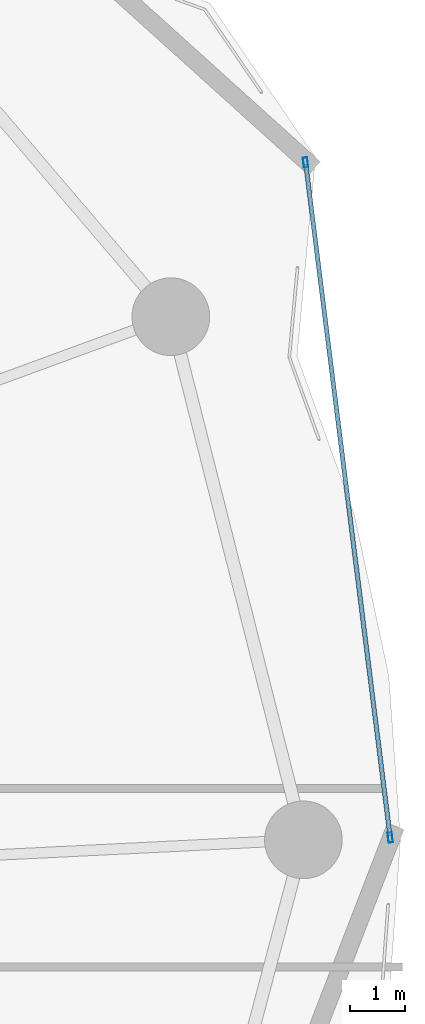
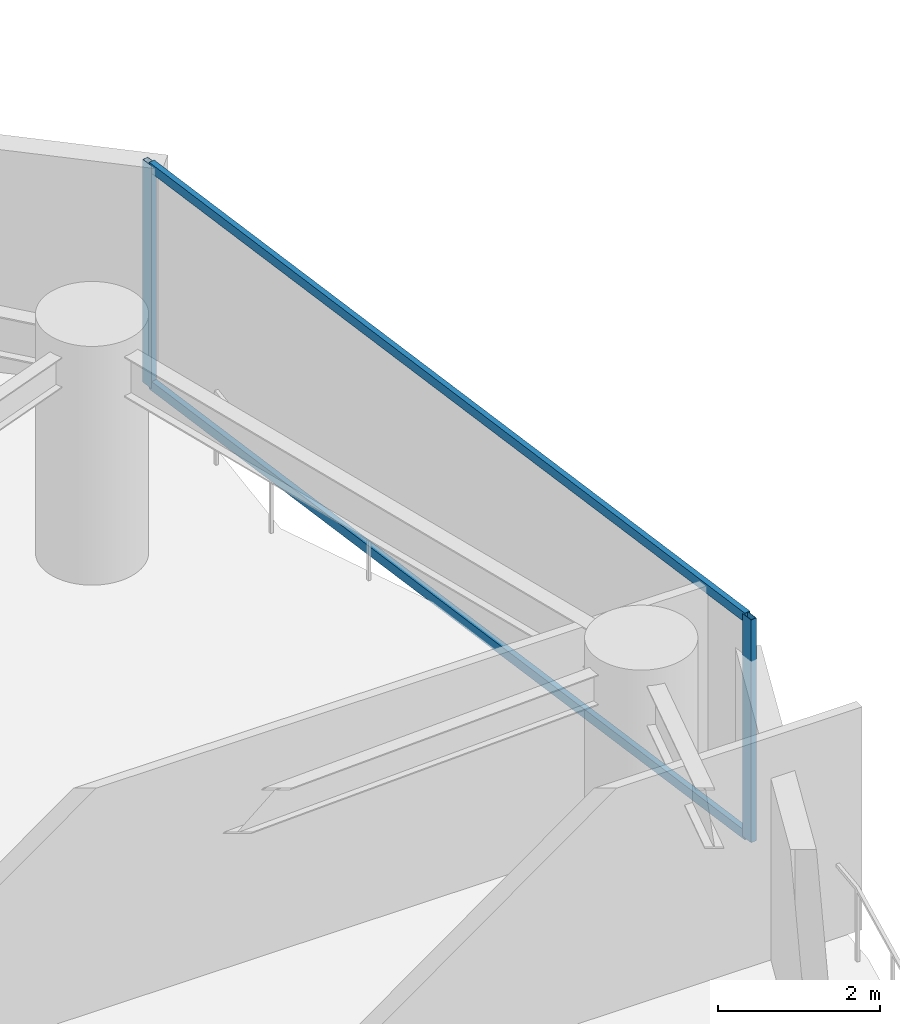
# One storey, part 23 of 30: 4 members, 1 element without a shape of its own.
"""IFC4 building model written with IfcOpenShell, lengths in metres."""

from ifc_helpers import new_model, si_unit, direction, frame, origin, origin_2d, place, context, subcontext, project, spatial, hollow_rectangle, extrude, material, layer, layer_set, material_profile, profile_set, type_object, element, aggregate, save


model = new_model("IFC4")

# Units and contexts
model_context = context("Model", 3, precision=1e-05, world=origin(), true_north=direction((0.0, 1.0)))
body_context = subcontext(model_context, "Body", "Model", "MODEL_VIEW")
ifc_project = project(units=[si_unit("LENGTHUNIT", "METRE"), si_unit("AREAUNIT", "SQUARE_METRE"), si_unit("VOLUMEUNIT", "CUBIC_METRE"), si_unit("PLANEANGLEUNIT", "RADIAN"), si_unit("MASSUNIT", "GRAM", prefix="KILO")], contexts=[model_context])

# Site, building, storey
site_placement = place(None, origin())
site = spatial("IfcSite", under=ifc_project, at=site_placement, CompositionType="ELEMENT")
building_placement = place(site_placement, origin())
building = spatial("IfcBuilding", under=site, at=building_placement, Name="Kazevale Care Tower and Concert Hall", CompositionType="ELEMENT")
storey_placement = place(building_placement, frame((0.0, 0.0, 74.39990234375)))
storey = spatial("IfcBuildingStorey", under=building, at=storey_placement, Name="L19", CompositionType="ELEMENT", Elevation=74.39990234375)

# Curtain wall, members
ifc_material_1 = material(Name="Aluminium 6063-T6 and Low-E Glass", Category="aluminium")
ifc_layer = layer(ifc_material_1, 0.179931640625)
ifc_layer_set = layer_set([ifc_layer], Name="Aluminium 6063-T6 and Low-E Glass")
curtain_wall_type = type_object("IfcCurtainWallType", Name="Waist & Upper Residential Curtain Wall CW-4", PredefinedType="NOTDEFINED", material=ifc_layer_set)
curtain_wall_placement = place(storey_placement, origin())
curtain_wall = element("IfcCurtainWall", 1, at=curtain_wall_placement, inside=storey, type_object=curtain_wall_type, Name="cw:L19:f18", PredefinedType="NOTDEFINED")
ifc_material_2 = material(Name="Aluminium 6063-T6", Category="aluminium")
ifc_material_profile_1 = material_profile(ifc_material_2, hollow_rectangle(XDim=0.080078125, YDim=0.179931640625, WallThickness=0.0048828125, at=origin_2d()), Name="ALU80x180x5")
ifc_profile_set_1 = profile_set([ifc_material_profile_1], Name="Aluminium 6063-T6")
member_type_1 = type_object("IfcMemberType", Name="CW-4 Mullion ALU80x180x5", PredefinedType="MULLION", material=ifc_profile_set_1)
member_1_placement = place(storey_placement, frame((76.489013671875, 50.21240234375, 0.0), z_axis=(0.0, 0.0, 1.0), x_axis=(0.992232958389, 0.124393554037, 0.0)))
member_1 = element("IfcMember", 2, at=member_1_placement, type_object=member_type_1, Name="CW-4 mullion 1", PredefinedType="MULLION", context=body_context, shape_type="SweptSolid", body=[
    extrude(hollow_rectangle(XDim=0.080078125, YDim=0.179931640625, WallThickness=0.0048828125, at=origin_2d()), origin(), (0.0, 0.0, 1.0), 3.360107421875),
])
member_2_placement = place(storey_placement, frame((78.01513671875, 38.039794921875, 0.0), z_axis=(0.0, 0.0, 1.0), x_axis=(0.992232958389, 0.124393554037, 0.0)))
member_2 = element("IfcMember", 3, at=member_2_placement, type_object=member_type_1, Name="CW-4 mullion 2", PredefinedType="MULLION", context=body_context, shape_type="SweptSolid", body=[
    extrude(hollow_rectangle(XDim=0.080078125, YDim=0.179931640625, WallThickness=0.0048828125, at=origin_2d()), origin(), (0.0, 0.0, 1.0), 3.360107421875),
])
ifc_material_profile_2 = material_profile(ifc_material_2, hollow_rectangle(XDim=0.080078125, YDim=0.139892578125, WallThickness=0.00390625, at=origin_2d()), Name="ALU80x140x4")
ifc_profile_set_2 = profile_set([ifc_material_profile_2], Name="Aluminium 6063-T6")
member_type_2 = type_object("IfcMemberType", Name="CW-4 Transom ALU80x140x4", PredefinedType="USERDEFINED", material=ifc_profile_set_2)
member_3_placement = place(storey_placement, frame((76.493896484375, 50.172607421875, 0.0400390625), z_axis=(0.124394674353, -0.992232817938, 0.0), x_axis=(0.992232817938, 0.124394674353, 0.0)))
member_3 = element("IfcMember", 4, at=member_3_placement, type_object=member_type_2, Name="CW-4 transom 1.1", ObjectType="TRANSOM", PredefinedType="USERDEFINED", context=body_context, shape_type="SweptSolid", body=[
    extrude(hollow_rectangle(XDim=0.080078125, YDim=0.139892578125, WallThickness=0.00390625, at=origin_2d()), origin(), (0.0, 0.0, 1.0), 12.18798828125),
])
member_4_placement = place(storey_placement, frame((76.493896484375, 50.172607421875, 3.320068359375), z_axis=(0.124394674353, -0.992232817938, 0.0), x_axis=(0.992232817938, 0.124394674353, 0.0)))
member_4 = element("IfcMember", 5, at=member_4_placement, type_object=member_type_2, Name="CW-4 transom 1.2", ObjectType="TRANSOM", PredefinedType="USERDEFINED", context=body_context, shape_type="SweptSolid", body=[
    extrude(hollow_rectangle(XDim=0.080078125, YDim=0.139892578125, WallThickness=0.00390625, at=origin_2d()), origin(), (0.0, 0.0, 1.0), 12.18798828125),
])
aggregate(curtain_wall, [member_1, member_2, member_3, member_4])

save(model, "model.ifc")
